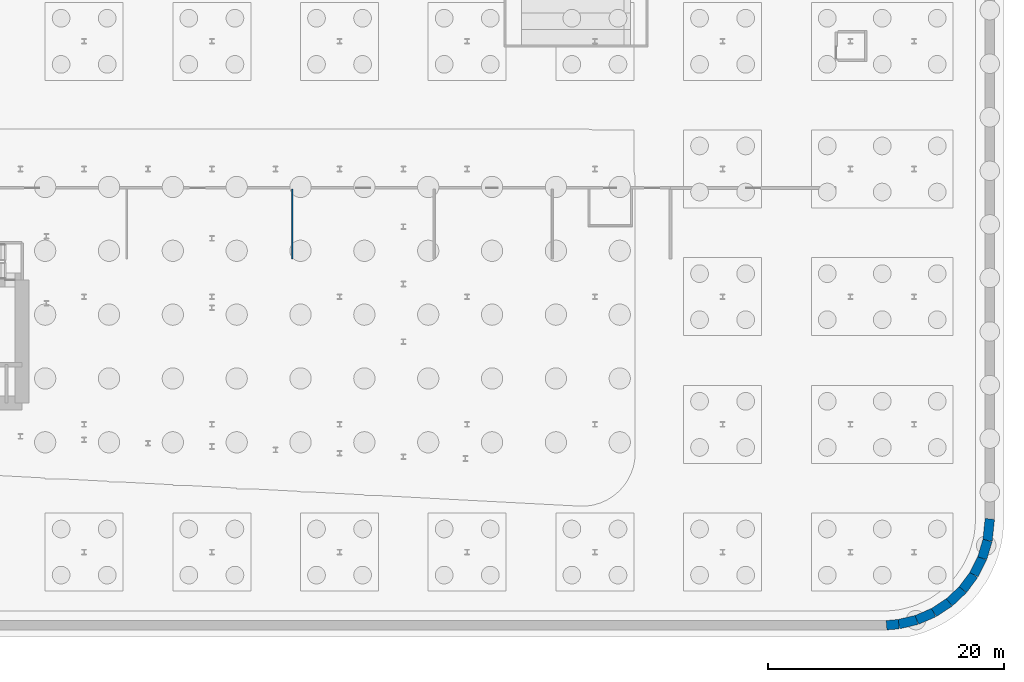
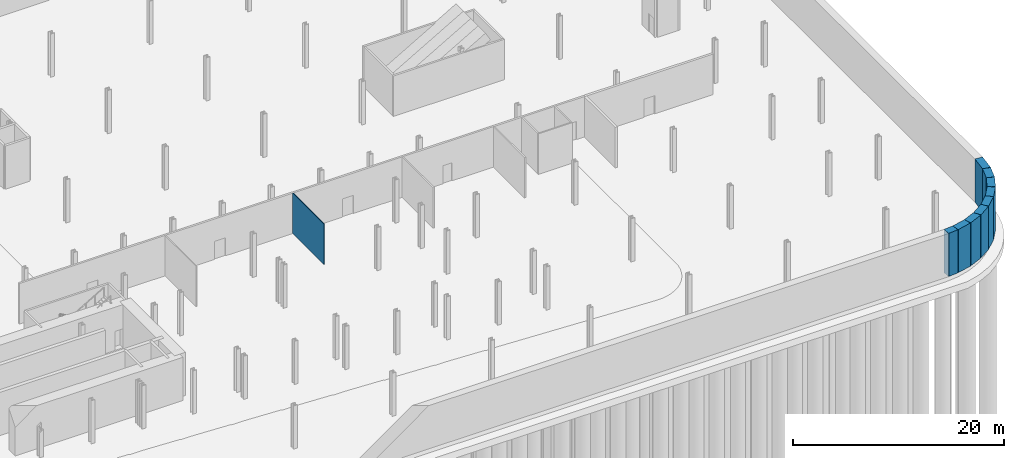
# One storey, part 13 of 23: 10 walls.
"""IFC4 building model written with IfcOpenShell, lengths in metres."""

from ifc_helpers import new_model, si_unit, direction, frame, frame_2d, origin, place, context, subcontext, project, spatial, rectangle, extrude, material, layer, layer_set, type_object, element, save


model = new_model("IFC4")

# Units and contexts
model_context = context("Model", 3, precision=1e-05, world=origin(), true_north=direction((0.0, 1.0)))
body_context = subcontext(model_context, "Body", "Model", "MODEL_VIEW")
ifc_project = project(units=[si_unit("LENGTHUNIT", "METRE"), si_unit("AREAUNIT", "SQUARE_METRE"), si_unit("VOLUMEUNIT", "CUBIC_METRE"), si_unit("PLANEANGLEUNIT", "RADIAN"), si_unit("MASSUNIT", "GRAM", prefix="KILO")], contexts=[model_context])

# Site, building, storey
site_placement = place(None, origin())
site = spatial("IfcSite", under=ifc_project, at=site_placement, CompositionType="ELEMENT")
building_placement = place(site_placement, origin())
building = spatial("IfcBuilding", under=site, at=building_placement, Name="Kheshtan School and Residences Tower", CompositionType="ELEMENT")
storey_placement = place(building_placement, frame((0.0, 0.0, -15.0)))
storey = spatial("IfcBuildingStorey", under=building, at=storey_placement, Name="B3", CompositionType="ELEMENT", Elevation=-15.0)

# Walls
ifc_material_1 = material(Name="Concrete C35/45", Category="concrete")
ifc_layer_1 = layer(ifc_material_1, 0.800048828125)
ifc_layer_set_1 = layer_set([ifc_layer_1], Name="Basement wall 800 Concrete C35/45")
wall_type_1 = type_object("IfcWallType", Name="Basement wall 800 Concrete C35/45", PredefinedType="SOLIDWALL", material=ifc_layer_set_1)
wall_1_placement = place(storey_placement, frame((135.0, 16.0, 0.0), z_axis=(0.0, 0.0, 1.0), x_axis=(-0.105567043429, -0.994412187849, 0.0)))
element("IfcWall", 1, at=wall_1_placement, inside=storey, type_object=wall_type_1, Name="Secant pile wall 21", PredefinedType="SOLIDWALL", context=body_context, shape_type="SweptSolid", body=[
    extrude(rectangle(XDim=1.829345703125, YDim=0.800048828125, at=frame_2d((0.91455078125, 0.0))), origin(), (0.0, 0.0, 1.0), 5.0),
])
wall_2_placement = place(storey_placement, frame((134.806884765625, 14.180908203125, 0.0), z_axis=(0.0, 0.0, 1.0), x_axis=(-0.287147763375, -0.957886299092, 0.0)))
element("IfcWall", 2, at=wall_2_placement, inside=storey, type_object=wall_type_1, Name="Secant pile wall 22", PredefinedType="SOLIDWALL", context=body_context, shape_type="SweptSolid", body=[
    extrude(rectangle(XDim=1.56689453125, YDim=0.800048828125, at=frame_2d((0.783447265625, 0.0))), origin(), (0.0, 0.0, 1.0), 5.0),
])
wall_3_placement = place(storey_placement, frame((134.35693359375, 12.679931640625, 0.0), z_axis=(0.0, 0.0, 1.0), x_axis=(-0.448459314462, -0.893803246399, 0.0)))
element("IfcWall", 3, at=wall_3_placement, inside=storey, type_object=wall_type_1, Name="Secant pile wall 23", PredefinedType="SOLIDWALL", context=body_context, shape_type="SweptSolid", body=[
    extrude(rectangle(XDim=1.5673828125, YDim=0.800048828125, at=frame_2d((0.78369140625, 0.0))), origin(), (0.0, 0.0, 1.0), 5.0),
])
wall_4_placement = place(storey_placement, frame((133.654052734375, 11.279052734375, 0.0), z_axis=(0.0, 0.0, 1.0), x_axis=(-0.597630520512, -0.801771638905, 0.0)))
element("IfcWall", 4, at=wall_4_placement, inside=storey, type_object=wall_type_1, Name="Secant pile wall 24", PredefinedType="SOLIDWALL", context=body_context, shape_type="SweptSolid", body=[
    extrude(rectangle(XDim=1.56787109375, YDim=0.800048828125, at=frame_2d((0.783935546875, 0.0))), origin(), (0.0, 0.0, 1.0), 5.0),
])
wall_5_placement = place(storey_placement, frame((132.717041015625, 10.02197265625, 0.0), z_axis=(0.0, 0.0, 1.0), x_axis=(-0.726995868662, -0.686641833089, 0.0)))
element("IfcWall", 5, at=wall_5_placement, inside=storey, type_object=wall_type_1, Name="Secant pile wall 25", PredefinedType="SOLIDWALL", context=body_context, shape_type="SweptSolid", body=[
    extrude(rectangle(XDim=1.56689453125, YDim=0.800048828125, at=frame_2d((0.783447265625, 0.0))), origin(), (0.0, 0.0, 1.0), 5.0),
])
wall_6_placement = place(storey_placement, frame((131.577880859375, 8.946044921875, 0.0), z_axis=(0.0, 0.0, 1.0), x_axis=(-0.835603348101, -0.549333272834, 0.0)))
element("IfcWall", 6, at=wall_6_placement, inside=storey, type_object=wall_type_1, Name="Secant pile wall 26", PredefinedType="SOLIDWALL", context=body_context, shape_type="SweptSolid", body=[
    extrude(rectangle(XDim=1.567626953125, YDim=0.800048828125, at=frame_2d((0.78369140625, 0.0))), origin(), (0.0, 0.0, 1.0), 5.0),
])
wall_7_placement = place(storey_placement, frame((130.26806640625, 8.0849609375, 0.0), z_axis=(0.0, 0.0, 1.0), x_axis=(-0.918183437355, -0.396155493925, 0.0)))
element("IfcWall", 7, at=wall_7_placement, inside=storey, type_object=wall_type_1, Name="Secant pile wall 27", PredefinedType="SOLIDWALL", context=body_context, shape_type="SweptSolid", body=[
    extrude(rectangle(XDim=1.567138671875, YDim=0.800048828125, at=frame_2d((0.78369140625, 0.0))), origin(), (0.0, 0.0, 1.0), 5.0),
])
wall_8_placement = place(storey_placement, frame((128.8291015625, 7.464111328125, 0.0), z_axis=(0.0, 0.0, 1.0), x_axis=(-0.972992949439, -0.230834833469, 0.0)))
element("IfcWall", 8, at=wall_8_placement, inside=storey, type_object=wall_type_1, Name="Secant pile wall 28", PredefinedType="SOLIDWALL", context=body_context, shape_type="SweptSolid", body=[
    extrude(rectangle(XDim=1.568603515625, YDim=0.800048828125, at=frame_2d((0.7841796875, 0.0))), origin(), (0.0, 0.0, 1.0), 5.0),
])
wall_9_placement = place(storey_placement, frame((127.302978515625, 7.10205078125, 0.0), z_axis=(0.0, 0.0, 1.0), x_axis=(-0.996202832813, -0.087062712427, 0.0)))
element("IfcWall", 9, at=wall_9_placement, inside=storey, type_object=wall_type_1, Name="Secant pile wall 29", PredefinedType="SOLIDWALL", context=body_context, shape_type="SweptSolid", body=[
    extrude(rectangle(XDim=1.0458984375, YDim=0.800048828125, at=frame_2d((0.52294921875, 0.0))), origin(), (0.0, 0.0, 1.0), 5.0),
])
ifc_material_2 = material(Name="Gypsum board on steel studs", Category="steel")
ifc_layer_2 = layer(ifc_material_2, 0.10009765625)
ifc_layer_set_2 = layer_set([ifc_layer_2], Name="Gypsum partition 100")
wall_type_2 = type_object("IfcWallType", Name="Gypsum partition 100", PredefinedType="PARTITIONING", material=ifc_layer_set_2)
wall_10_placement = place(storey_placement, frame((76.0, 38.0, 0.0), z_axis=(0.0, 0.0, 1.0), x_axis=(0.0, 1.0, 0.0)))
element("IfcWall", 10, at=wall_10_placement, inside=storey, type_object=wall_type_2, Name="Partition B3-027", PredefinedType="PARTITIONING", context=body_context, shape_type="SweptSolid", body=[
    extrude(rectangle(XDim=5.89990234375, YDim=0.10009765625, at=frame_2d((2.949951171875, 0.0))), origin(), (0.0, 0.0, 1.0), 4.679931640625),
])

save(model, "model.ifc")
